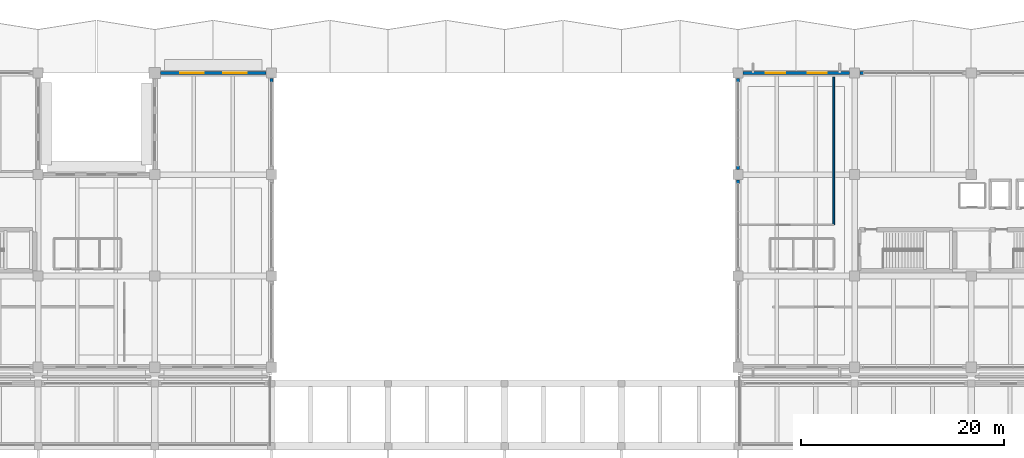
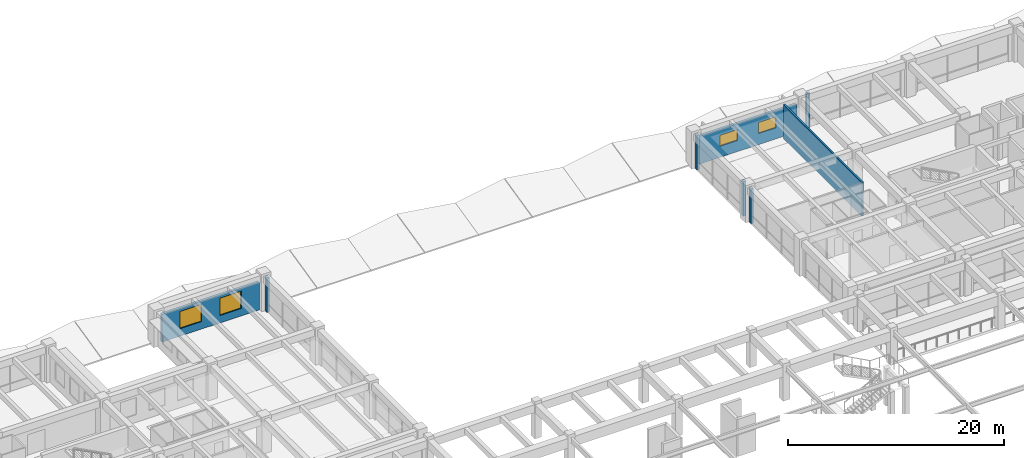
# One storey, part 77 of 98: 8 walls, 4 windows, 4 openings.
"""IFC4 building model written with IfcOpenShell, lengths in metres."""

from ifc_helpers import new_model, si_unit, direction, frame, frame_2d, origin, place, context, subcontext, project, spatial, rectangle, extrude, material, layer, layer_set, type_object, element, fill, save


model = new_model("IFC4")

# Units and contexts
model_context = context("Model", 3, precision=1e-05, world=origin(), true_north=direction((0.0, 1.0)))
body_context = subcontext(model_context, "Body", "Model", "MODEL_VIEW")
ifc_project = project(units=[si_unit("LENGTHUNIT", "METRE"), si_unit("AREAUNIT", "SQUARE_METRE"), si_unit("VOLUMEUNIT", "CUBIC_METRE"), si_unit("PLANEANGLEUNIT", "RADIAN"), si_unit("MASSUNIT", "GRAM", prefix="KILO")], contexts=[model_context])

# Site, building, storey
site_placement = place(None, origin())
site = spatial("IfcSite", under=ifc_project, at=site_placement, CompositionType="ELEMENT")
building_placement = place(site_placement, origin())
building = spatial("IfcBuilding", under=site, at=building_placement, Name="Ologun Quay Terminus", CompositionType="ELEMENT")
storey_placement = place(building_placement, frame((0.0, 0.0, 4.199951171875)))
storey = spatial("IfcBuildingStorey", under=building, at=storey_placement, Name="L01", CompositionType="ELEMENT", Elevation=4.199951171875)

# Wall
ifc_material_1 = material(Name="Concrete C40/50", Category="concrete")
ifc_layer_1 = layer(ifc_material_1, 0.280029296875)
ifc_layer_set_1 = layer_set([ifc_layer_1], Name="Concrete C40/50")
wall_type_1 = type_object("IfcWallType", Name="Courtyard Wing Spandrel Concrete Wall 280", PredefinedType="SOLIDWALL", material=ifc_layer_set_1)
wall_1_placement = place(storey_placement, frame((69.0, 113.929931640625, 0.0), z_axis=(0.0, 0.0, 1.0), x_axis=(0.0, 1.0, 0.0)))
element("IfcWall", 1, at=wall_1_placement, inside=storey, type_object=wall_type_1, Name="Curtain Wall Jamb Pier CW-L01-101-J2", PredefinedType="SOLIDWALL", context=body_context, shape_type="SweptSolid", body=[
    extrude(rectangle(XDim=0.35009765625, YDim=0.280029296875, at=frame_2d((0.175048828125, 0.0))), origin(), (0.0, 0.0, 1.0), 3.929931640625),
])

# Wall, openings, windows
wall_2_placement = place(storey_placement, frame((58.070068359375, 114.800048828125, 0.0), z_axis=(0.0, 0.0, 1.0), x_axis=(1.0, 0.0, 0.0)))
wall_2 = element("IfcWall", 2, at=wall_2_placement, inside=storey, type_object=wall_type_1, Name="EW-02 Facade Wall WEW-WW-N-L01-10", PredefinedType="SOLIDWALL", context=body_context, shape_type="SweptSolid", body=[
    extrude(rectangle(XDim=10.409912109375, YDim=0.280029296875, at=frame_2d((5.205078125, 0.0))), origin(), (0.0, 0.0, 1.0), 3.150146484375),
])
opening_1_placement = place(wall_2_placement, frame((1.936767578125, 0.0, 0.85009765625)))
opening_1 = element("IfcOpeningElement", 3, at=opening_1_placement, cuts=wall_2, Name="Opening WN-203", PredefinedType="OPENING", context=body_context, shape_type="SweptSolid", body=[
    extrude(rectangle(XDim=2.300048828125, YDim=1.949951171875, at=frame_2d((1.14990234375, 0.97509765625))), frame((0.0, 0.14990234375, 0.0), z_axis=(0.0, -1.0, 0.0), x_axis=(1.0, 0.0, 0.0)), (0.0, 0.0, 1.0), 0.300048828125),
])
opening_2_placement = place(wall_2_placement, frame((6.17333984375, 0.0, 0.85009765625)))
opening_2 = element("IfcOpeningElement", 4, at=opening_2_placement, cuts=wall_2, Name="Opening WN-204", PredefinedType="OPENING", context=body_context, shape_type="SweptSolid", body=[
    extrude(rectangle(XDim=2.300048828125, YDim=1.949951171875, at=frame_2d((1.14990234375, 0.97509765625))), frame((0.0, 0.14990234375, 0.0), z_axis=(0.0, -1.0, 0.0), x_axis=(1.0, 0.0, 0.0)), (0.0, 0.0, 1.0), 0.300048828125),
])
ifc_material_2 = material(Name="Glass", Category="glass")
window_type_1 = type_object("IfcWindowType", Name="Waterfront Dining Ribbon Window 2300x1950", PartitioningType="SINGLE_PANEL", PredefinedType="WINDOW", material=ifc_material_2)
window_1_placement = place(opening_1_placement, origin())
window_1 = element("IfcWindow", 5, at=window_1_placement, inside=storey, type_object=window_type_1, Name="W-13 Window WN-203", OverallHeight=1.949951171875, OverallWidth=2.300048828125, PartitioningType="SINGLE_PANEL", PredefinedType="WINDOW", context=body_context, shape_type="SweptSolid", body=[
    extrude(rectangle(XDim=2.300048828125, YDim=1.949951171875, at=frame_2d((1.14990234375, 0.97509765625))), frame((0.0, 0.030029296875, 0.0), z_axis=(0.0, -1.0, 0.0), x_axis=(1.0, 0.0, 0.0)), (0.0, 0.0, 1.0), 0.06005859375),
])
fill(opening_1, window_1)
window_2_placement = place(opening_2_placement, origin())
window_2 = element("IfcWindow", 6, at=window_2_placement, inside=storey, type_object=window_type_1, Name="W-13 Window WN-204", OverallHeight=1.949951171875, OverallWidth=2.300048828125, PartitioningType="SINGLE_PANEL", PredefinedType="WINDOW", context=body_context, shape_type="SweptSolid", body=[
    extrude(rectangle(XDim=2.300048828125, YDim=1.949951171875, at=frame_2d((1.14990234375, 0.97509765625))), frame((0.0, 0.030029296875, 0.0), z_axis=(0.0, -1.0, 0.0), x_axis=(1.0, 0.0, 0.0)), (0.0, 0.0, 1.0), 0.06005859375),
])
fill(opening_2, window_2)

wall_3_placement = place(storey_placement, frame((115.52001953125, 114.800048828125, 0.0), z_axis=(0.0, 0.0, 1.0), x_axis=(1.0, 0.0, 0.0)))
wall_3 = element("IfcWall", 7, at=wall_3_placement, inside=storey, type_object=wall_type_1, Name="EW-02 Facade Wall WEW-EW-L01-17", PredefinedType="SOLIDWALL", context=body_context, shape_type="SweptSolid", body=[
    extrude(rectangle(XDim=10.4599609375, YDim=0.280029296875, at=frame_2d((5.22998046875, 0.0))), origin(), (0.0, 0.0, 1.0), 3.150146484375),
])
opening_3_placement = place(wall_3_placement, frame((2.219970703125, 0.0, 1.25)))
opening_3 = element("IfcOpeningElement", 8, at=opening_3_placement, cuts=wall_3, Name="Opening WN-384", PredefinedType="OPENING", context=body_context, shape_type="SweptSolid", body=[
    extrude(rectangle(XDim=1.89990234375, YDim=1.25, at=frame_2d((0.949951171875, 0.625))), frame((0.0, 0.14990234375, 0.0), z_axis=(0.0, -1.0, 0.0), x_axis=(1.0, 0.0, 0.0)), (0.0, 0.0, 1.0), 0.300048828125),
])
opening_4_placement = place(wall_3_placement, frame((6.340087890625, 0.0, 1.25)))
opening_4 = element("IfcOpeningElement", 9, at=opening_4_placement, cuts=wall_3, Name="Opening WN-385", PredefinedType="OPENING", context=body_context, shape_type="SweptSolid", body=[
    extrude(rectangle(XDim=1.89990234375, YDim=1.25, at=frame_2d((0.949951171875, 0.625))), frame((0.0, 0.14990234375, 0.0), z_axis=(0.0, -1.0, 0.0), x_axis=(1.0, 0.0, 0.0)), (0.0, 0.0, 1.0), 0.300048828125),
])
ifc_material_3 = material(Name="Glass", Category="glass")
window_type_2 = type_object("IfcWindowType", Name="Signalling Equipment High Window 1900x1250", PartitioningType="SINGLE_PANEL", PredefinedType="WINDOW", material=ifc_material_3)
window_3_placement = place(opening_3_placement, origin())
window_3 = element("IfcWindow", 10, at=window_3_placement, inside=storey, type_object=window_type_2, Name="W-18 Window WN-384", OverallHeight=1.25, OverallWidth=1.89990234375, PartitioningType="SINGLE_PANEL", PredefinedType="WINDOW", context=body_context, shape_type="SweptSolid", body=[
    extrude(rectangle(XDim=1.89990234375, YDim=1.25, at=frame_2d((0.949951171875, 0.625))), frame((0.0, 0.030029296875, 0.0), z_axis=(0.0, -1.0, 0.0), x_axis=(1.0, 0.0, 0.0)), (0.0, 0.0, 1.0), 0.06005859375),
])
fill(opening_3, window_3)
window_4_placement = place(opening_4_placement, origin())
window_4 = element("IfcWindow", 11, at=window_4_placement, inside=storey, type_object=window_type_2, Name="W-18 Window WN-385", OverallHeight=1.25, OverallWidth=1.89990234375, PartitioningType="SINGLE_PANEL", PredefinedType="WINDOW", context=body_context, shape_type="SweptSolid", body=[
    extrude(rectangle(XDim=1.89990234375, YDim=1.25, at=frame_2d((0.949951171875, 0.625))), frame((0.0, 0.030029296875, 0.0), z_axis=(0.0, -1.0, 0.0), x_axis=(1.0, 0.0, 0.0)), (0.0, 0.0, 1.0), 0.06005859375),
])
fill(opening_4, window_4)

# Walls
for number, where, z_axis, x_axis, name in (
    (12, (127.02001953125, 114.800048828125, 0.0), (0.0, 0.0, 1.0), (1.0, 0.0, 0.0), "Curtain Wall Jamb Pier CW-L01-126-J1"),
    (13, (115.0, 103.929931640625, 0.0), (0.0, 0.0, 1.0), (0.0, 1.0, 0.0), "Curtain Wall Jamb Pier CW-L01-129-J2"),
):
    element("IfcWall", number, at=place(storey_placement, frame(where, z_axis=z_axis, x_axis=x_axis)), inside=storey, type_object=wall_type_1, Name=name, PredefinedType="SOLIDWALL", context=body_context, shape_type="SweptSolid", body=[
        extrude(rectangle(XDim=0.35009765625, YDim=0.280029296875, at=frame_2d((0.175048828125, 0.0))), origin(), (0.0, 0.0, 1.0), 3.929931640625),
    ])
wall_4_placement = place(storey_placement, frame((115.0, 105.320068359375, 0.0), z_axis=(0.0, 0.0, 1.0), x_axis=(0.0, 1.0, 0.0)))
element("IfcWall", 14, at=wall_4_placement, inside=storey, type_object=wall_type_1, Name="Curtain Wall Jamb Pier CW-L01-130-J1", PredefinedType="SOLIDWALL", context=body_context, shape_type="SweptSolid", body=[
    extrude(rectangle(XDim=0.349853515625, YDim=0.280029296875, at=frame_2d((0.1748046875, 0.0))), origin(), (0.0, 0.0, 1.0), 3.929931640625),
])
wall_5_placement = place(storey_placement, frame((115.0, 113.929931640625, 0.0), z_axis=(0.0, 0.0, 1.0), x_axis=(0.0, 1.0, 0.0)))
element("IfcWall", 15, at=wall_5_placement, inside=storey, type_object=wall_type_1, Name="Curtain Wall Jamb Pier CW-L01-130-J2", PredefinedType="SOLIDWALL", context=body_context, shape_type="SweptSolid", body=[
    extrude(rectangle(XDim=0.35009765625, YDim=0.280029296875, at=frame_2d((0.175048828125, 0.0))), origin(), (0.0, 0.0, 1.0), 3.929931640625),
])
ifc_material_4 = material(Name="Gypsum Acoustic Stud")
ifc_layer_2 = layer(ifc_material_4, 0.175048828125)
ifc_layer_set_2 = layer_set([ifc_layer_2], Name="Gypsum Acoustic Stud")
wall_type_2 = type_object("IfcWallType", Name="Operations & Control Acoustic Partition 175", PredefinedType="PARTITIONING", material=ifc_layer_set_2)
wall_6_placement = place(storey_placement, frame((124.449951171875, 99.85009765625, 0.0), z_axis=(0.0, 0.0, 1.0), x_axis=(0.0, 1.0, 0.0)))
element("IfcWall", 16, at=wall_6_placement, inside=storey, type_object=wall_type_2, Name="PW-03 Partition L01-Signalling-N", PredefinedType="PARTITIONING", context=body_context, shape_type="SweptSolid", body=[
    extrude(rectangle(XDim=14.5498046875, YDim=0.175048828125, at=frame_2d((7.27490234375, 0.0))), origin(), (0.0, 0.0, 1.0), 3.840087890625),
])

save(model, "model.ifc")
